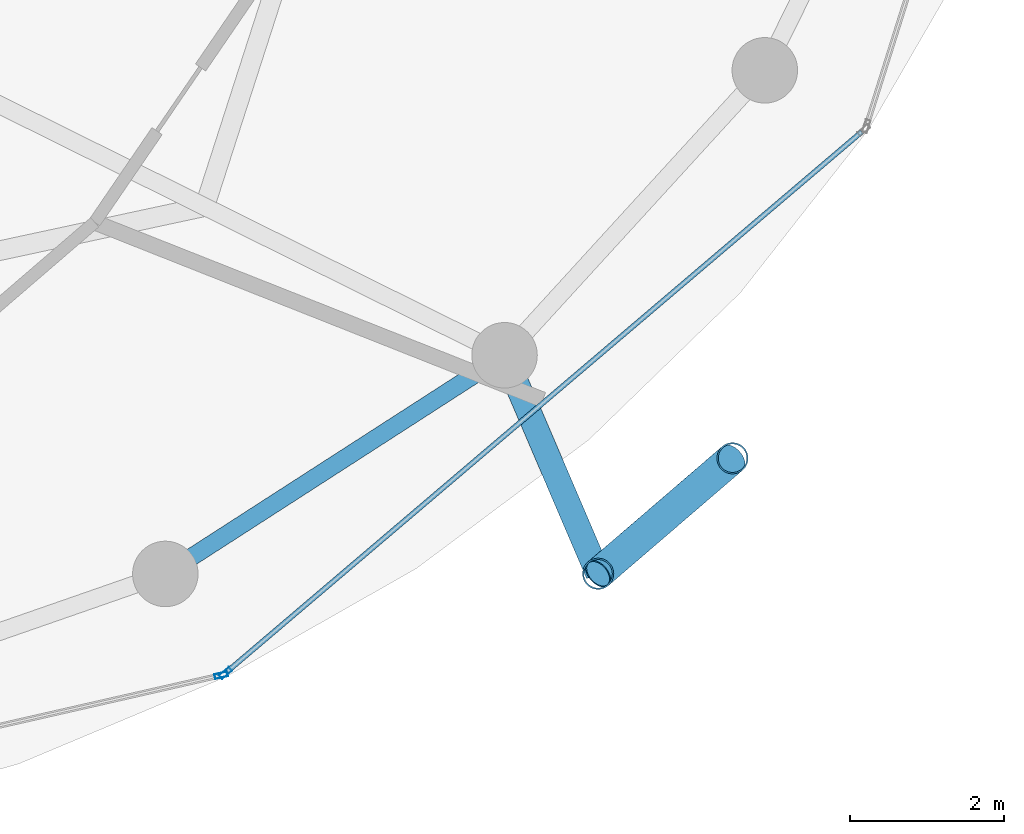
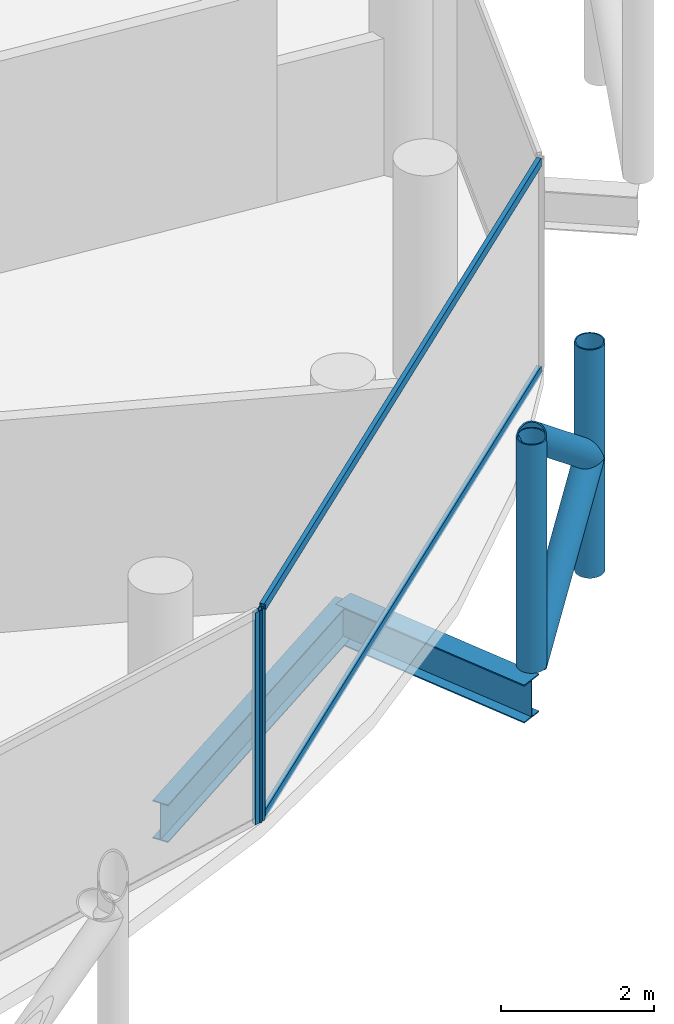
# One storey, part 11 of 27: 8 members, 2 beams, 2 elements without a shape of their own.
"""IFC4 building model written with IfcOpenShell, lengths in metres."""

from ifc_helpers import new_model, si_unit, direction, frame, origin, origin_2d, place, context, subcontext, project, spatial, hollow_rectangle, hollow_circle, i_section, extrude, material, layer, layer_set, material_profile, profile_set, type_object, element, aggregate, save


model = new_model("IFC4")

# Units and contexts
model_context = context("Model", 3, precision=1e-05, world=origin(), true_north=direction((0.0, 1.0)))
body_context = subcontext(model_context, "Body", "Model", "MODEL_VIEW")
ifc_project = project(units=[si_unit("LENGTHUNIT", "METRE"), si_unit("AREAUNIT", "SQUARE_METRE"), si_unit("VOLUMEUNIT", "CUBIC_METRE"), si_unit("PLANEANGLEUNIT", "RADIAN"), si_unit("MASSUNIT", "GRAM", prefix="KILO")], contexts=[model_context])

# Site, building, storey
site_placement = place(None, origin())
site = spatial("IfcSite", under=ifc_project, at=site_placement, CompositionType="ELEMENT")
building_placement = place(site_placement, origin())
building = spatial("IfcBuilding", under=site, at=building_placement, Name="Nuhasar Tower", CompositionType="ELEMENT")
storey_placement = place(building_placement, frame((0.0, 0.0, 251.949951171875)))
storey = spatial("IfcBuildingStorey", under=building, at=storey_placement, Name="L62", CompositionType="ELEMENT", Elevation=251.949951171875)

# Beams
ifc_material_1 = material(Name="Steel S355", Category="steel")
ifc_material_profile_1 = material_profile(ifc_material_1, i_section(OverallWidth=0.22802734375, OverallDepth=0.60791015625, WebThickness=0.01123046875, FlangeThickness=0.017333984375, at=origin_2d()), Name="W24X76")
ifc_profile_set_1 = profile_set([ifc_material_profile_1], Name="Steel S355")
beam_type_1 = type_object("IfcBeamType", Name="BM-RING-W24X76", PredefinedType="SPANDREL", material=ifc_profile_set_1)
beam_1_placement = place(storey_placement, frame((49.625, 11.341064453125, -0.5439453125), z_axis=(0.840502144969, 0.541808217272, 0.0), x_axis=(-0.541808217272, 0.840502144969, 0.0)))
element("IfcBeam", 1, at=beam_1_placement, inside=storey, type_object=beam_type_1, Name="L62 Perimeter Ring Spandrel 21", PredefinedType="SPANDREL", context=body_context, shape_type="SweptSolid", body=[
    extrude(i_section(OverallWidth=0.22802734375, OverallDepth=0.60791015625, WebThickness=0.01123046875, FlangeThickness=0.017333984375, at=origin_2d()), origin(), (0.0, 0.0, 1.0), 5.236083984375),
])
ifc_material_profile_2 = material_profile(ifc_material_1, i_section(OverallWidth=0.323974609375, OverallDepth=0.611083984375, WebThickness=0.0126953125, FlangeThickness=0.01904296875, at=origin_2d()), Name="W24X104")
ifc_profile_set_2 = profile_set([ifc_material_profile_2], Name="Steel S355")
beam_type_2 = type_object("IfcBeamType", Name="BM-TIE-W24X104", PredefinedType="BEAM", material=ifc_profile_set_2)
beam_2_placement = place(storey_placement, frame((54.02587890625, 14.177978515625, -0.544921875), z_axis=(0.393680429682, -0.919247365667, 0.0), x_axis=(0.919247365667, 0.393680429682, 0.0)))
element("IfcBeam", 2, at=beam_2_placement, inside=storey, type_object=beam_type_2, Name="L62 Exoskeleton Node Tie Beam 11", PredefinedType="BEAM", context=body_context, shape_type="SweptSolid", body=[
    extrude(i_section(OverallWidth=0.323974609375, OverallDepth=0.611083984375, WebThickness=0.0126953125, FlangeThickness=0.01904296875, at=origin_2d()), origin(), (0.0, 0.0, 1.0), 3.083984375),
])

# Curtain wall, member
ifc_material_2 = material(Name="Aluminium 6063-T6", Category="aluminium")
ifc_layer = layer(ifc_material_2, 0.18994140625)
ifc_layer_set = layer_set([ifc_layer], Name="Aluminium 6063-T6")
curtain_wall_type = type_object("IfcCurtainWallType", Name="CW-Z3-RES", PredefinedType="NOTDEFINED", material=ifc_layer_set)
curtain_wall_1_placement = place(storey_placement, origin())
curtain_wall_1 = element("IfcCurtainWall", 3, at=curtain_wall_1_placement, inside=storey, type_object=curtain_wall_type, Name="L62 Unitised Curtain Wall 10", PredefinedType="NOTDEFINED")
ifc_material_profile_3 = material_profile(ifc_material_2, hollow_rectangle(XDim=0.06494140625, YDim=0.169921875, WallThickness=0.0048828125, at=origin_2d()), Name="CWM-4")
ifc_profile_set_3 = profile_set([ifc_material_profile_3], Name="Aluminium 6063-T6")
member_type_1 = type_object("IfcMemberType", Name="CW-MUL-S4", PredefinedType="MULLION", material=ifc_profile_set_3)
member_1_placement = place(storey_placement, frame((50.348388671875, 10.02685546875, 0.0), z_axis=(0.0, 0.0, 1.0), x_axis=(-0.222243176313, 0.974991266926, 0.0)))
member_1 = element("IfcMember", 4, at=member_1_placement, type_object=member_type_1, Name="CW-Z3 mullion 2", PredefinedType="MULLION", context=body_context, shape_type="SweptSolid", body=[
    extrude(hollow_rectangle(XDim=0.06494140625, YDim=0.169921875, WallThickness=0.0048828125, at=origin_2d()), origin(), (0.0, 0.0, 1.0), 3.39013671875),
])
aggregate(curtain_wall_1, [member_1])

# Curtain wall, members
curtain_wall_2_placement = place(storey_placement, origin())
curtain_wall_2 = element("IfcCurtainWall", 5, at=curtain_wall_2_placement, inside=storey, type_object=curtain_wall_type, Name="L62 Unitised Curtain Wall 11", PredefinedType="NOTDEFINED")
member_2_placement = place(storey_placement, frame((50.40478515625, 10.05517578125, 0.0), z_axis=(0.0, 0.0, 1.0), x_axis=(-0.64789521578, 0.761729472562, 0.0)))
member_2 = element("IfcMember", 6, at=member_2_placement, type_object=member_type_1, Name="CW-Z3 mullion 1", PredefinedType="MULLION", context=body_context, shape_type="SweptSolid", body=[
    extrude(hollow_rectangle(XDim=0.06494140625, YDim=0.169921875, WallThickness=0.0048828125, at=origin_2d()), origin(), (0.0, 0.0, 1.0), 3.39013671875),
])
ifc_material_profile_4 = material_profile(ifc_material_2, hollow_rectangle(XDim=0.06494140625, YDim=0.139892578125, WallThickness=0.00439453125, at=origin_2d()), Name="CWT-4")
ifc_profile_set_4 = profile_set([ifc_material_profile_4], Name="Aluminium 6063-T6")
member_type_2 = type_object("IfcMemberType", Name="CW-TRN-S4", PredefinedType="USERDEFINED", material=ifc_profile_set_4)
member_3_placement = place(storey_placement, frame((50.429443359375, 10.076171875, 0.032470703125), z_axis=(0.761730809511, 0.647893643928, 0.0), x_axis=(-0.647893643928, 0.761730809511, 0.0)))
member_3 = element("IfcMember", 7, at=member_3_placement, type_object=member_type_2, Name="CW-Z3 transom 1.1", ObjectType="TRANSOM", PredefinedType="USERDEFINED", context=body_context, shape_type="SweptSolid", body=[
    extrude(hollow_rectangle(XDim=0.06494140625, YDim=0.139892578125, WallThickness=0.00439453125, at=origin_2d()), origin(), (0.0, 0.0, 1.0), 10.806884765625),
])
member_4_placement = place(storey_placement, frame((50.429443359375, 10.076171875, 3.357666015625), z_axis=(0.761730809511, 0.647893643928, 0.0), x_axis=(-0.647893643928, 0.761730809511, 0.0)))
member_4 = element("IfcMember", 8, at=member_4_placement, type_object=member_type_2, Name="CW-Z3 transom 1.2", ObjectType="TRANSOM", PredefinedType="USERDEFINED", context=body_context, shape_type="SweptSolid", body=[
    extrude(hollow_rectangle(XDim=0.06494140625, YDim=0.139892578125, WallThickness=0.00439453125, at=origin_2d()), origin(), (0.0, 0.0, 1.0), 10.806884765625),
])
aggregate(curtain_wall_2, [member_2, member_3, member_4])

# Members
ifc_material_3 = material(Name="Steel S460", Category="steel")
ifc_material_profile_5 = material_profile(ifc_material_3, hollow_circle(Radius=0.203125, WallThickness=0.01904296875, at=origin_2d()), Name="HSS406.4X19.1")
ifc_profile_set_5 = profile_set([ifc_material_profile_5], Name="Steel S460")
member_type_3 = type_object("IfcMemberType", Name="EXO-BRONZE-406", PredefinedType="BRACE", material=ifc_profile_set_5)
for number, where, z_axis, x_axis, name in (
    (9, (55.239990234375, 11.343017578125, 0.0), (0.0, 0.0, 1.0), (1.0, 0.0, 0.0), "L62 Exoskeleton Chord Column EC-11A"),
    (10, (56.98388671875, 12.842041015625, 0.0), (0.0, 0.0, 1.0), (1.0, 0.0, 0.0), "L62 Exoskeleton Chord Column EC-11B"),
):
    element("IfcMember", number, at=place(storey_placement, frame(where, z_axis=z_axis, x_axis=x_axis)), inside=storey, type_object=member_type_3, Name=name, PredefinedType="BRACE", context=body_context, shape_type="SweptSolid", body=[
        extrude(hollow_circle(Radius=0.203125, WallThickness=0.01904296875, at=origin_2d()), origin(), (0.0, 0.0, 1.0), 3.650146484375),
    ])
for number, where, z_axis, x_axis, name in (
    (11, (55.239990234375, 11.343017578125, 0.0), (0.594018535389, 0.510608120858, 0.621627964725), (-0.65185738425, 0.758341579104, 0.0), "L62 Bronze Diagrid Brace W1-11"),
    (12, (56.98388671875, 12.842041015625, 1.824951171875), (-0.593987827832, -0.51058172517, 0.621678986543), (0.65185738425, -0.758341579104, 0.0), "L62 Bronze Diagrid Brace W2-11"),
):
    element("IfcMember", number, at=place(storey_placement, frame(where, z_axis=z_axis, x_axis=x_axis)), inside=storey, type_object=member_type_3, Name=name, PredefinedType="BRACE", context=body_context, shape_type="SweptSolid", body=[
        extrude(hollow_circle(Radius=0.203125, WallThickness=0.01904296875, at=origin_2d()), origin(), (0.0, 0.0, 1.0), 2.935791015625),
    ])

save(model, "model.ifc")
